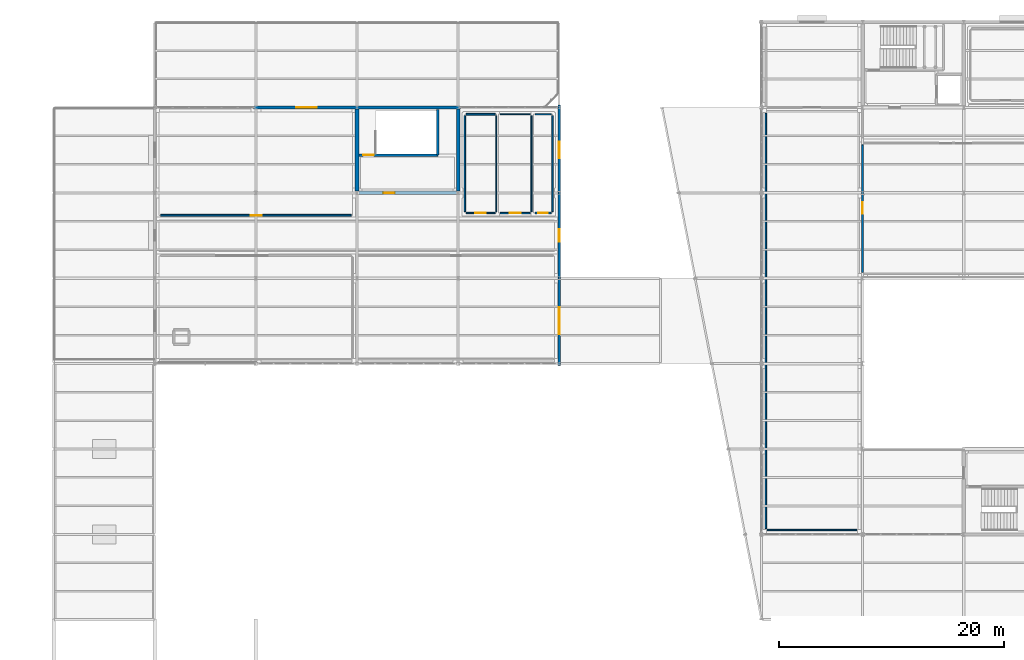
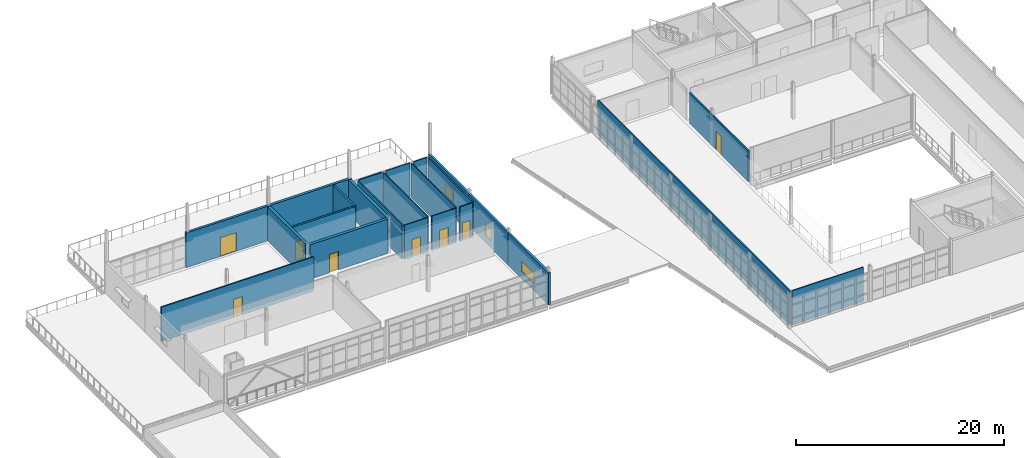
# One storey, part 89 of 96: 24 walls, 8 doors, 3 windows, 11 openings.
"""IFC4 building model written with IfcOpenShell, lengths in metres."""

from ifc_helpers import new_model, si_unit, direction, frame, frame_2d, origin, place, context, subcontext, project, spatial, rectangle, extrude, material, layer, layer_set, type_object, element, fill, save


model = new_model("IFC4")

# Units and contexts
model_context = context("Model", 3, precision=1e-05, world=origin(), true_north=direction((0.0, 1.0)))
body_context = subcontext(model_context, "Body", "Model", "MODEL_VIEW")
ifc_project = project(units=[si_unit("LENGTHUNIT", "METRE"), si_unit("AREAUNIT", "SQUARE_METRE"), si_unit("VOLUMEUNIT", "CUBIC_METRE"), si_unit("PLANEANGLEUNIT", "RADIAN"), si_unit("MASSUNIT", "GRAM", prefix="KILO")], contexts=[model_context])

# Site, building, storey
site_placement = place(None, origin())
site = spatial("IfcSite", under=ifc_project, at=site_placement, CompositionType="ELEMENT")
building_placement = place(site_placement, origin())
building = spatial("IfcBuilding", under=site, at=building_placement, Name="Caisbarro Railhouse Central Library", CompositionType="ELEMENT")
storey_placement = place(building_placement, frame((0.0, 0.0, 13.679931640625)))
storey = spatial("IfcBuildingStorey", under=building, at=storey_placement, Name="L03", CompositionType="ELEMENT", Elevation=13.679931640625)

# Wall, opening, door
ifc_material_1 = material(Name="Concrete C40", Category="concrete")
ifc_layer_1 = layer(ifc_material_1, 0.320068359375, Name="Concrete C40")
ifc_layer_set_1 = layer_set([ifc_layer_1], Name="Concrete C40")
wall_type_1 = type_object("IfcWallType", Name="WAL-CW32", PredefinedType="SHEAR", material=ifc_layer_set_1)
wall_1_placement = place(storey_placement, frame((81.159912109375, 98.800048828125, 0.0), z_axis=(0.0, 0.0, 1.0), x_axis=(1.0, 0.0, 0.0)))
wall_1 = element("IfcWall", 1, at=wall_1_placement, inside=storey, type_object=wall_type_1, Name="CW32 RC core shear wall L03 #79", PredefinedType="SHEAR", context=body_context, shape_type="SweptSolid", body=[
    extrude(rectangle(XDim=8.68017578125, YDim=0.320068359375, at=frame_2d((4.340087890625, 0.0))), origin(), (0.0, 0.0, 1.0), 4.0400390625),
])
opening_1_placement = place(wall_1_placement, frame((2.199951171875, 0.0, 0.0)))
opening_1 = element("IfcOpeningElement", 2, at=opening_1_placement, cuts=wall_1, Name="Opening FD05", PredefinedType="OPENING", context=body_context, shape_type="SweptSolid", body=[
    extrude(rectangle(XDim=1.0, YDim=2.14990234375, at=frame_2d((0.5, 1.074951171875))), frame((0.0, 0.169921875, 0.0), z_axis=(0.0, -1.0, 0.0), x_axis=(1.0, 0.0, 0.0)), (0.0, 0.0, 1.0), 0.340087890625),
])
ifc_material_2 = material(Name="Fire-rated painted galvanised steel", Category="steel")
door_type_1 = type_object("IfcDoorType", Name="DR-FD05", OperationType="NOTDEFINED", PredefinedType="DOOR", material=ifc_material_2)
door_1_placement = place(opening_1_placement, origin())
door_1 = element("IfcDoor", 3, at=door_1_placement, inside=storey, type_object=door_type_1, Name="Core K5 Lobby Door FD05 L03-118", OperationType="SINGLE_SWING_LEFT", OverallHeight=2.14990234375, OverallWidth=1.0, PredefinedType="DOOR", context=body_context, shape_type="SweptSolid", body=[
    extrude(rectangle(XDim=1.0, YDim=2.14990234375, at=frame_2d((0.5, 1.074951171875))), frame((0.0, 0.02490234375, 0.0), z_axis=(0.0, -1.0, 0.0), x_axis=(1.0, 0.0, 0.0)), (0.0, 0.0, 1.0), 0.050048828125),
])
fill(opening_1, door_1)

# Walls
for number, where, z_axis, x_axis, name in (
    (4, (81.0, 98.9599609375, 0.0), (0.0, 0.0, 1.0), (0.0, 1.0, 0.0), "CW32 RC core shear wall L03 #80"),
    (5, (90.0, 98.9599609375, 0.0), (0.0, 0.0, 1.0), (0.0, 1.0, 0.0), "CW32 RC core shear wall L03 #81"),
):
    element("IfcWall", number, at=place(storey_placement, frame(where, z_axis=z_axis, x_axis=x_axis)), inside=storey, type_object=wall_type_1, Name=name, PredefinedType="SHEAR", context=body_context, shape_type="SweptSolid", body=[
        extrude(rectangle(XDim=7.280029296875, YDim=0.320068359375, at=frame_2d((3.64013671875, 0.0))), origin(), (0.0, 0.0, 1.0), 4.0400390625),
    ])

# Wall, opening, window
ifc_material_3 = material(Name="Concrete C35 insulated architectural precast", Category="concrete")
ifc_layer_2 = layer(ifc_material_3, 0.239990234375, Name="Concrete C35 insulated architectural precast")
ifc_layer_set_2 = layer_set([ifc_layer_2], Name="Concrete C35 insulated architectural precast")
wall_type_2 = type_object("IfcWallType", Name="WAL-EW24", PredefinedType="STANDARD", material=ifc_layer_set_2)
wall_2_placement = place(storey_placement, frame((99.0, 83.389892578125, 0.0), z_axis=(0.0, 0.0, 1.0), x_axis=(0.0, 1.0, 0.0)))
wall_2 = element("IfcWall", 6, at=wall_2_placement, inside=storey, type_object=wall_type_2, Name="EW24 exterior wall L03 #257", PredefinedType="STANDARD", context=body_context, shape_type="SweptSolid", body=[
    extrude(rectangle(XDim=7.81005859375, YDim=0.239990234375, at=frame_2d((3.905029296875, 0.0))), origin(), (0.0, 0.0, 1.0), 3.779541015625),
])
opening_2_placement = place(wall_2_placement, frame((2.81005859375, 0.0, 0.85009765625)))
opening_2 = element("IfcOpeningElement", 7, at=opening_2_placement, cuts=wall_2, Name="Opening W09", PredefinedType="OPENING", context=body_context, shape_type="SweptSolid", body=[
    extrude(rectangle(XDim=2.39990234375, YDim=1.199951171875, at=frame_2d((1.199951171875, 0.60009765625))), frame((0.0, 0.1298828125, 0.0), z_axis=(0.0, -1.0, 0.0), x_axis=(1.0, 0.0, 0.0)), (0.0, 0.0, 1.0), 0.260009765625),
])
ifc_material_4 = material(Name="Double low-e laminated solar-control glass", Category="glass")
window_type_1 = type_object("IfcWindowType", Name="WIN-W09", PartitioningType="SINGLE_PANEL", PredefinedType="WINDOW", material=ifc_material_4)
window_1_placement = place(opening_2_placement, origin())
window_1 = element("IfcWindow", 8, at=window_1_placement, inside=storey, type_object=window_type_1, Name="W09 window L03-101", OverallHeight=1.199951171875, OverallWidth=2.39990234375, PartitioningType="SINGLE_PANEL", PredefinedType="WINDOW", context=body_context, shape_type="SweptSolid", body=[
    extrude(rectangle(XDim=2.39990234375, YDim=1.199951171875, at=frame_2d((1.199951171875, 0.60009765625))), frame((0.0, 0.030029296875, 0.0), z_axis=(0.0, -1.0, 0.0), x_axis=(1.0, 0.0, 0.0)), (0.0, 0.0, 1.0), 0.06005859375),
])
fill(opening_2, window_1)

wall_3_placement = place(storey_placement, frame((99.0, 91.199951171875, 0.0), z_axis=(0.0, 0.0, 1.0), x_axis=(0.0, 1.0, 0.0)))
wall_3 = element("IfcWall", 9, at=wall_3_placement, inside=storey, type_object=wall_type_2, Name="EW24 exterior wall L03 #259", PredefinedType="STANDARD", context=body_context, shape_type="SweptSolid", body=[
    extrude(rectangle(XDim=7.60009765625, YDim=0.239990234375, at=frame_2d((3.800048828125, 0.0))), origin(), (0.0, 0.0, 1.0), 3.779541015625),
])
opening_3_placement = place(wall_3_placement, frame((3.22509765625, 0.0, 0.85009765625)))
opening_3 = element("IfcOpeningElement", 10, at=opening_3_placement, cuts=wall_3, Name="Opening W11", PredefinedType="OPENING", context=body_context, shape_type="SweptSolid", body=[
    extrude(rectangle(XDim=1.14990234375, YDim=1.35009765625, at=frame_2d((0.574951171875, 0.675048828125))), frame((0.0, 0.1298828125, 0.0), z_axis=(0.0, -1.0, 0.0), x_axis=(1.0, 0.0, 0.0)), (0.0, 0.0, 1.0), 0.260009765625),
])
window_type_2 = type_object("IfcWindowType", Name="WIN-W11", PartitioningType="SINGLE_PANEL", PredefinedType="WINDOW", material=ifc_material_4)
window_2_placement = place(opening_3_placement, origin())
window_2 = element("IfcWindow", 11, at=window_2_placement, inside=storey, type_object=window_type_2, Name="W11 window L03-103", OverallHeight=1.35009765625, OverallWidth=1.14990234375, PartitioningType="SINGLE_PANEL", PredefinedType="WINDOW", context=body_context, shape_type="SweptSolid", body=[
    extrude(rectangle(XDim=1.14990234375, YDim=1.35009765625, at=frame_2d((0.574951171875, 0.675048828125))), frame((0.0, 0.030029296875, 0.0), z_axis=(0.0, -1.0, 0.0), x_axis=(1.0, 0.0, 0.0)), (0.0, 0.0, 1.0), 0.06005859375),
])
fill(opening_3, window_2)

wall_4_placement = place(storey_placement, frame((99.0, 98.800048828125, 0.0), z_axis=(0.0, 0.0, 1.0), x_axis=(0.0, 1.0, 0.0)))
wall_4 = element("IfcWall", 12, at=wall_4_placement, inside=storey, type_object=wall_type_2, Name="EW24 exterior wall L03 #261", PredefinedType="STANDARD", context=body_context, shape_type="SweptSolid", body=[
    extrude(rectangle(XDim=7.81005859375, YDim=0.239990234375, at=frame_2d((3.905029296875, 0.0))), origin(), (0.0, 0.0, 1.0), 3.779541015625),
])
opening_4_placement = place(wall_4_placement, frame((3.074951171875, 0.0, 0.85009765625)))
opening_4 = element("IfcOpeningElement", 13, at=opening_4_placement, cuts=wall_4, Name="Opening W13", PredefinedType="OPENING", context=body_context, shape_type="SweptSolid", body=[
    extrude(rectangle(XDim=1.449951171875, YDim=1.35009765625, at=frame_2d((0.72509765625, 0.675048828125))), frame((0.0, 0.1298828125, 0.0), z_axis=(0.0, -1.0, 0.0), x_axis=(1.0, 0.0, 0.0)), (0.0, 0.0, 1.0), 0.260009765625),
])
window_type_3 = type_object("IfcWindowType", Name="WIN-W13", PartitioningType="SINGLE_PANEL", PredefinedType="WINDOW", material=ifc_material_4)
window_3_placement = place(opening_4_placement, origin())
window_3 = element("IfcWindow", 14, at=window_3_placement, inside=storey, type_object=window_type_3, Name="W13 window L03-105", OverallHeight=1.35009765625, OverallWidth=1.449951171875, PartitioningType="SINGLE_PANEL", PredefinedType="WINDOW", context=body_context, shape_type="SweptSolid", body=[
    extrude(rectangle(XDim=1.449951171875, YDim=1.35009765625, at=frame_2d((0.72509765625, 0.675048828125))), frame((0.0, 0.030029296875, 0.0), z_axis=(0.0, -1.0, 0.0), x_axis=(1.0, 0.0, 0.0)), (0.0, 0.0, 1.0), 0.06005859375),
])
fill(opening_4, window_3)

# Wall, opening, door
ifc_layer_3 = layer(ifc_material_3, 0.260009765625, Name="Concrete C35 insulated architectural precast")
ifc_layer_set_3 = layer_set([ifc_layer_3], Name="Concrete C35 insulated architectural precast")
wall_type_3 = type_object("IfcWallType", Name="WAL-EW26", PredefinedType="STANDARD", material=ifc_layer_set_3)
wall_5_placement = place(storey_placement, frame((71.7900390625, 106.39990234375, 0.0), z_axis=(0.0, 0.0, 1.0), x_axis=(1.0, 0.0, 0.0)))
wall_5 = element("IfcWall", 15, at=wall_5_placement, inside=storey, type_object=wall_type_3, Name="EW26 exterior wall L03 #254", PredefinedType="STANDARD", context=body_context, shape_type="SweptSolid", body=[
    extrude(rectangle(XDim=9.2099609375, YDim=0.260009765625, at=frame_2d((4.60498046875, 0.0))), origin(), (0.0, 0.0, 1.0), 4.080078125),
])
opening_5_placement = place(wall_5_placement, frame((3.800048828125, 0.0, 0.0)))
opening_5 = element("IfcOpeningElement", 16, at=opening_5_placement, cuts=wall_5, Name="Opening TD01", PredefinedType="OPENING", context=body_context, shape_type="SweptSolid", body=[
    extrude(rectangle(XDim=1.820068359375, YDim=2.199951171875, at=frame_2d((0.91015625, 1.10009765625))), frame((0.0, 0.14013671875, 0.0), z_axis=(0.0, -1.0, 0.0), x_axis=(1.0, 0.0, 0.0)), (0.0, 0.0, 1.0), 0.280029296875),
])
ifc_material_5 = material(Name="Thermally broken anodised aluminium and safety glass", Category="aluminium")
door_type_2 = type_object("IfcDoorType", Name="DR-TD01", OperationType="NOTDEFINED", PredefinedType="DOOR", material=ifc_material_5)
door_2_placement = place(opening_5_placement, origin())
door_2 = element("IfcDoor", 17, at=door_2_placement, inside=storey, type_object=door_type_2, Name="Terrace Door TD01 L03-44", OperationType="SINGLE_SWING_LEFT", OverallHeight=2.199951171875, OverallWidth=1.820068359375, PredefinedType="DOOR", context=body_context, shape_type="SweptSolid", body=[
    extrude(rectangle(XDim=1.820068359375, YDim=2.199951171875, at=frame_2d((0.91015625, 1.10009765625))), frame((0.0, 0.02490234375, 0.0), z_axis=(0.0, -1.0, 0.0), x_axis=(1.0, 0.0, 0.0)), (0.0, 0.0, 1.0), 0.050048828125),
])
fill(opening_5, door_2)

# Walls
ifc_layer_4 = layer(ifc_material_1, 0.280029296875, Name="Concrete C40")
ifc_layer_set_4 = layer_set([ifc_layer_4], Name="Concrete C40")
wall_type_4 = type_object("IfcWallType", Name="WAL-EW28", PredefinedType="SOLIDWALL", material=ifc_layer_set_4)
wall_6_placement = place(storey_placement, frame((81.0, 106.39990234375, 0.0), z_axis=(0.0, 0.0, 1.0), x_axis=(1.0, 0.0, 0.0)))
element("IfcWall", 18, at=wall_6_placement, inside=storey, type_object=wall_type_4, Name="EW28 exterior wall L03 #255", PredefinedType="SOLIDWALL", context=body_context, shape_type="SweptSolid", body=[
    extrude(rectangle(XDim=9.2099609375, YDim=0.280029296875, at=frame_2d((4.60498046875, 0.0))), origin(), (0.0, 0.0, 1.0), 4.080078125),
])
ifc_material_6 = material(Name="Acoustic gypsum board on galvanised steel studs", Category="steel")
ifc_layer_5 = layer(ifc_material_6, 0.090087890625, Name="Acoustic gypsum board on galvanised steel studs")
ifc_layer_set_5 = layer_set([ifc_layer_5], Name="Acoustic gypsum board on galvanised steel studs")
wall_type_5 = type_object("IfcWallType", Name="WAL-IW09", PredefinedType="PARTITIONING", material=ifc_layer_set_5)
wall_7_placement = place(storey_placement, frame((93.416015625, 97.1201171875, 0.0), z_axis=(0.0, 0.0, 1.0), x_axis=(0.0, 1.0, 0.0)))
element("IfcWall", 19, at=wall_7_placement, inside=storey, type_object=wall_type_5, Name="IW09 partition wall L03 #564", PredefinedType="PARTITIONING", context=body_context, shape_type="SweptSolid", body=[
    extrude(rectangle(XDim=8.559814453125, YDim=0.090087890625, at=frame_2d((4.27978515625, 0.0))), origin(), (0.0, 0.0, 1.0), 4.0400390625),
])
wall_8_placement = place(storey_placement, frame((93.736083984375, 105.800048828125, 0.0), z_axis=(0.0, 0.0, 1.0), x_axis=(1.0, 0.0, 0.0)))
element("IfcWall", 20, at=wall_8_placement, inside=storey, type_object=wall_type_5, Name="IW09 partition wall L03 #568", PredefinedType="PARTITIONING", context=body_context, shape_type="SweptSolid", body=[
    extrude(rectangle(XDim=2.676025390625, YDim=0.090087890625, at=frame_2d((1.337890625, 0.0))), origin(), (0.0, 0.0, 1.0), 4.0400390625),
])

# Wall, opening, door
ifc_layer_6 = layer(ifc_material_6, 0.110107421875, Name="Acoustic gypsum board on galvanised steel studs")
ifc_layer_set_6 = layer_set([ifc_layer_6], Name="Acoustic gypsum board on galvanised steel studs")
wall_type_6 = type_object("IfcWallType", Name="WAL-IW11", PredefinedType="PARTITIONING", material=ifc_layer_set_6)
wall_9_placement = place(storey_placement, frame((90.719970703125, 97.0, 0.0), z_axis=(0.0, 0.0, 1.0), x_axis=(1.0, 0.0, 0.0)))
wall_9 = element("IfcWall", 21, at=wall_9_placement, inside=storey, type_object=wall_type_6, Name="IW11 partition wall L03 #563", PredefinedType="PARTITIONING", context=body_context, shape_type="SweptSolid", body=[
    extrude(rectangle(XDim=2.575927734375, YDim=0.110107421875, at=frame_2d((1.2880859375, 0.0))), origin(), (0.0, 0.0, 1.0), 4.0400390625),
])
opening_6_placement = place(wall_9_placement, frame((0.818115234375, 0.0, 0.0)))
opening_6 = element("IfcOpeningElement", 22, at=opening_6_placement, cuts=wall_9, Name="Opening ID03", PredefinedType="OPENING", context=body_context, shape_type="SweptSolid", body=[
    extrude(rectangle(XDim=0.93994140625, YDim=2.06005859375, at=frame_2d((0.469970703125, 1.030029296875))), frame((0.0, 0.06494140625, 0.0), z_axis=(0.0, -1.0, 0.0), x_axis=(1.0, 0.0, 0.0)), (0.0, 0.0, 1.0), 0.130126953125),
])
ifc_material_7 = material(Name="Solid-core tropical hardwood veneer", Category="wood")
door_type_3 = type_object("IfcDoorType", Name="DR-ID03", OperationType="NOTDEFINED", PredefinedType="DOOR", material=ifc_material_7)
door_3_placement = place(opening_6_placement, origin())
door_3 = element("IfcDoor", 23, at=door_3_placement, inside=storey, type_object=door_type_3, Name="Male WC L03-V6 Door ID03 L03-317", OperationType="SINGLE_SWING_LEFT", OverallHeight=2.06005859375, OverallWidth=0.93994140625, PredefinedType="DOOR", context=body_context, shape_type="SweptSolid", body=[
    extrude(rectangle(XDim=0.93994140625, YDim=2.06005859375, at=frame_2d((0.469970703125, 1.030029296875))), frame((0.0, 0.02490234375, 0.0), z_axis=(0.0, -1.0, 0.0), x_axis=(1.0, 0.0, 0.0)), (0.0, 0.0, 1.0), 0.050048828125),
])
fill(opening_6, door_3)

# Walls
wall_10_placement = place(storey_placement, frame((96.531982421875, 97.1201171875, 0.0), z_axis=(0.0, 0.0, 1.0), x_axis=(0.0, 1.0, 0.0)))
element("IfcWall", 24, at=wall_10_placement, inside=storey, type_object=wall_type_6, Name="IW11 partition wall L03 #567", PredefinedType="PARTITIONING", context=body_context, shape_type="SweptSolid", body=[
    extrude(rectangle(XDim=8.559814453125, YDim=0.110107421875, at=frame_2d((4.27978515625, 0.0))), origin(), (0.0, 0.0, 1.0), 4.0400390625),
])
wall_11_placement = place(storey_placement, frame((96.85205078125, 105.800048828125, 0.0), z_axis=(0.0, 0.0, 1.0), x_axis=(1.0, 0.0, 0.0)))
element("IfcWall", 25, at=wall_11_placement, inside=storey, type_object=wall_type_6, Name="IW11 partition wall L03 #571", PredefinedType="PARTITIONING", context=body_context, shape_type="SweptSolid", body=[
    extrude(rectangle(XDim=1.427978515625, YDim=0.110107421875, at=frame_2d((0.7138671875, 0.0))), origin(), (0.0, 0.0, 1.0), 4.0400390625),
])
wall_12_placement = place(storey_placement, frame((117.52001953125, 68.800048828125, 0.0), z_axis=(0.0, 0.0, 1.0), x_axis=(1.0, 0.0, 0.0)))
element("IfcWall", 26, at=wall_12_placement, inside=storey, type_object=wall_type_6, Name="IW11 partition wall L03 #599", PredefinedType="PARTITIONING", context=body_context, shape_type="SweptSolid", body=[
    extrude(rectangle(XDim=7.9599609375, YDim=0.110107421875, at=frame_2d((3.97998046875, 0.0))), origin(), (0.0, 0.0, 1.0), 4.0400390625),
])
ifc_layer_7 = layer(ifc_material_6, 0.1298828125, Name="Acoustic gypsum board on galvanised steel studs")
ifc_layer_set_7 = layer_set([ifc_layer_7], Name="Acoustic gypsum board on galvanised steel studs")
wall_type_7 = type_object("IfcWallType", Name="WAL-IW13", PredefinedType="PARTITIONING", material=ifc_layer_set_7)
wall_13_placement = place(storey_placement, frame((90.60009765625, 97.1201171875, 0.0), z_axis=(0.0, 0.0, 1.0), x_axis=(0.0, 1.0, 0.0)))
element("IfcWall", 27, at=wall_13_placement, inside=storey, type_object=wall_type_7, Name="IW13 partition wall L03 #562", PredefinedType="PARTITIONING", context=body_context, shape_type="SweptSolid", body=[
    extrude(rectangle(XDim=8.559814453125, YDim=0.1298828125, at=frame_2d((4.27978515625, 0.0))), origin(), (0.0, 0.0, 1.0), 4.0400390625),
])

# Wall, opening, door
wall_14_placement = place(storey_placement, frame((93.736083984375, 97.0, 0.0), z_axis=(0.0, 0.0, 1.0), x_axis=(1.0, 0.0, 0.0)))
wall_14 = element("IfcWall", 28, at=wall_14_placement, inside=storey, type_object=wall_type_7, Name="IW13 partition wall L03 #566", PredefinedType="PARTITIONING", context=body_context, shape_type="SweptSolid", body=[
    extrude(rectangle(XDim=2.676025390625, YDim=0.1298828125, at=frame_2d((1.337890625, 0.0))), origin(), (0.0, 0.0, 1.0), 4.0400390625),
])
opening_7_placement = place(wall_14_placement, frame((0.847900390625, 0.0, 0.0)))
opening_7 = element("IfcOpeningElement", 29, at=opening_7_placement, cuts=wall_14, Name="Opening ID04", PredefinedType="OPENING", context=body_context, shape_type="SweptSolid", body=[
    extrude(rectangle(XDim=0.97998046875, YDim=2.06005859375, at=frame_2d((0.489990234375, 1.030029296875))), frame((0.0, 0.074951171875, 0.0), z_axis=(0.0, -1.0, 0.0), x_axis=(1.0, 0.0, 0.0)), (0.0, 0.0, 1.0), 0.14990234375),
])
door_type_4 = type_object("IfcDoorType", Name="DR-ID04", OperationType="NOTDEFINED", PredefinedType="DOOR", material=ifc_material_7)
door_4_placement = place(opening_7_placement, origin())
door_4 = element("IfcDoor", 30, at=door_4_placement, inside=storey, type_object=door_type_4, Name="Female WC L03-V6 Door ID04 L03-318", OperationType="SINGLE_SWING_RIGHT", OverallHeight=2.06005859375, OverallWidth=0.97998046875, PredefinedType="DOOR", context=body_context, shape_type="SweptSolid", body=[
    extrude(rectangle(XDim=0.97998046875, YDim=2.06005859375, at=frame_2d((0.489990234375, 1.030029296875))), frame((0.0, 0.02490234375, 0.0), z_axis=(0.0, -1.0, 0.0), x_axis=(1.0, 0.0, 0.0)), (0.0, 0.0, 1.0), 0.050048828125),
])
fill(opening_7, door_4)

# Walls
wall_15_placement = place(storey_placement, frame((98.39990234375, 97.1201171875, 0.0), z_axis=(0.0, 0.0, 1.0), x_axis=(0.0, 1.0, 0.0)))
element("IfcWall", 31, at=wall_15_placement, inside=storey, type_object=wall_type_7, Name="IW13 partition wall L03 #570", PredefinedType="PARTITIONING", context=body_context, shape_type="SweptSolid", body=[
    extrude(rectangle(XDim=8.559814453125, YDim=0.1298828125, at=frame_2d((4.27978515625, 0.0))), origin(), (0.0, 0.0, 1.0), 4.0400390625),
])
wall_16_placement = place(storey_placement, frame((117.39990234375, 68.919921875, 0.0), z_axis=(0.0, 0.0, 1.0), x_axis=(0.0, 1.0, 0.0)))
element("IfcWall", 32, at=wall_16_placement, inside=storey, type_object=wall_type_7, Name="IW13 partition wall L03 #598", PredefinedType="PARTITIONING", context=body_context, shape_type="SweptSolid", body=[
    extrude(rectangle(XDim=36.9599609375, YDim=0.1298828125, at=frame_2d((18.47998046875, 0.0))), origin(), (0.0, 0.0, 1.0), 4.0400390625),
])

# Wall, opening, door
ifc_layer_8 = layer(ifc_material_6, 0.14990234375, Name="Acoustic gypsum board on galvanised steel studs")
ifc_layer_set_8 = layer_set([ifc_layer_8], Name="Acoustic gypsum board on galvanised steel studs")
wall_type_8 = type_object("IfcWallType", Name="WAL-IW15", PredefinedType="PARTITIONING", material=ifc_layer_set_8)
wall_17_placement = place(storey_placement, frame((63.52001953125, 96.800048828125, 0.0), z_axis=(0.0, 0.0, 1.0), x_axis=(1.0, 0.0, 0.0)))
wall_17 = element("IfcWall", 33, at=wall_17_placement, inside=storey, type_object=wall_type_8, Name="IW15 partition wall L03 #561", PredefinedType="PARTITIONING", context=body_context, shape_type="SweptSolid", body=[
    extrude(rectangle(XDim=16.9599609375, YDim=0.14990234375, at=frame_2d((8.47998046875, 0.0))), origin(), (0.0, 0.0, 1.0), 4.0400390625),
])
opening_8_placement = place(wall_17_placement, frame((8.02490234375, 0.0, 0.0)))
opening_8 = element("IfcOpeningElement", 34, at=opening_8_placement, cuts=wall_17, Name="Opening FD05", PredefinedType="OPENING", context=body_context, shape_type="SweptSolid", body=[
    extrude(rectangle(XDim=1.0, YDim=2.14990234375, at=frame_2d((0.5, 1.074951171875))), frame((0.0, 0.0849609375, 0.0), z_axis=(0.0, -1.0, 0.0), x_axis=(1.0, 0.0, 0.0)), (0.0, 0.0, 1.0), 0.169921875),
])
door_5_placement = place(opening_8_placement, origin())
door_5 = element("IfcDoor", 35, at=door_5_placement, inside=storey, type_object=door_type_1, Name="Writers-in-Residence Studio Door FD05 L03-316", OperationType="SINGLE_SWING_RIGHT", OverallHeight=2.14990234375, OverallWidth=1.0, PredefinedType="DOOR", context=body_context, shape_type="SweptSolid", body=[
    extrude(rectangle(XDim=1.0, YDim=2.14990234375, at=frame_2d((0.5, 1.074951171875))), frame((0.0, 0.02490234375, 0.0), z_axis=(0.0, -1.0, 0.0), x_axis=(1.0, 0.0, 0.0)), (0.0, 0.0, 1.0), 0.050048828125),
])
fill(opening_8, door_5)

# Wall
wall_18_placement = place(storey_placement, frame((90.719970703125, 105.800048828125, 0.0), z_axis=(0.0, 0.0, 1.0), x_axis=(1.0, 0.0, 0.0)))
element("IfcWall", 36, at=wall_18_placement, inside=storey, type_object=wall_type_8, Name="IW15 partition wall L03 #565", PredefinedType="PARTITIONING", context=body_context, shape_type="SweptSolid", body=[
    extrude(rectangle(XDim=2.575927734375, YDim=0.14990234375, at=frame_2d((1.2880859375, 0.0))), origin(), (0.0, 0.0, 1.0), 4.0400390625),
])

# Wall, opening, door
wall_19_placement = place(storey_placement, frame((96.85205078125, 97.0, 0.0), z_axis=(0.0, 0.0, 1.0), x_axis=(1.0, 0.0, 0.0)))
wall_19 = element("IfcWall", 37, at=wall_19_placement, inside=storey, type_object=wall_type_8, Name="IW15 partition wall L03 #569", PredefinedType="PARTITIONING", context=body_context, shape_type="SweptSolid", body=[
    extrude(rectangle(XDim=1.427978515625, YDim=0.14990234375, at=frame_2d((0.7138671875, 0.0))), origin(), (0.0, 0.0, 1.0), 4.0400390625),
])
opening_9_placement = place(wall_19_placement, frame((0.283935546875, 0.0, 0.0)))
opening_9 = element("IfcOpeningElement", 38, at=opening_9_placement, cuts=wall_19, Name="Opening ID01", PredefinedType="OPENING", context=body_context, shape_type="SweptSolid", body=[
    extrude(rectangle(XDim=0.860107421875, YDim=2.06005859375, at=frame_2d((0.43017578125, 1.030029296875))), frame((0.0, 0.0849609375, 0.0), z_axis=(0.0, -1.0, 0.0), x_axis=(1.0, 0.0, 0.0)), (0.0, 0.0, 1.0), 0.169921875),
])
door_type_5 = type_object("IfcDoorType", Name="DR-ID01", OperationType="NOTDEFINED", PredefinedType="DOOR", material=ifc_material_7)
door_6_placement = place(opening_9_placement, origin())
door_6 = element("IfcDoor", 39, at=door_6_placement, inside=storey, type_object=door_type_5, Name="Accessible WC L03-V6 Door ID01 L03-319", OperationType="SINGLE_SWING_LEFT", OverallHeight=2.06005859375, OverallWidth=0.860107421875, PredefinedType="DOOR", context=body_context, shape_type="SweptSolid", body=[
    extrude(rectangle(XDim=0.860107421875, YDim=2.06005859375, at=frame_2d((0.43017578125, 1.030029296875))), frame((0.0, 0.02490234375, 0.0), z_axis=(0.0, -1.0, 0.0), x_axis=(1.0, 0.0, 0.0)), (0.0, 0.0, 1.0), 0.050048828125),
])
fill(opening_9, door_6)

wall_20_placement = place(storey_placement, frame((126.0, 91.719970703125, 0.0), z_axis=(0.0, 0.0, 1.0), x_axis=(0.0, 1.0, 0.0)))
wall_20 = element("IfcWall", 40, at=wall_20_placement, inside=storey, type_object=wall_type_8, Name="IW15 partition wall L03 #573", PredefinedType="PARTITIONING", context=body_context, shape_type="SweptSolid", body=[
    extrude(rectangle(XDim=11.360107421875, YDim=0.14990234375, at=frame_2d((5.68017578125, 0.0))), origin(), (0.0, 0.0, 1.0), 3.631103515625),
])
opening_10_placement = place(wall_20_placement, frame((5.22998046875, 0.0, 0.0)))
opening_10 = element("IfcOpeningElement", 41, at=opening_10_placement, cuts=wall_20, Name="Opening FD05", PredefinedType="OPENING", context=body_context, shape_type="SweptSolid", body=[
    extrude(rectangle(XDim=1.0, YDim=2.14990234375, at=frame_2d((0.5, 1.074951171875))), frame((0.0, 0.0849609375, 0.0), z_axis=(0.0, -1.0, 0.0), x_axis=(1.0, 0.0, 0.0)), (0.0, 0.0, 1.0), 0.169921875),
])
door_7_placement = place(opening_10_placement, origin())
door_7 = element("IfcDoor", 42, at=door_7_placement, inside=storey, type_object=door_type_1, Name="Atrium West Reading Lounge L03 Door FD05 L03-330", OperationType="SINGLE_SWING_RIGHT", OverallHeight=2.14990234375, OverallWidth=1.0, PredefinedType="DOOR", context=body_context, shape_type="SweptSolid", body=[
    extrude(rectangle(XDim=1.0, YDim=2.14990234375, at=frame_2d((0.5, 1.074951171875))), frame((0.0, 0.02490234375, 0.0), z_axis=(0.0, -1.0, 0.0), x_axis=(1.0, 0.0, 0.0)), (0.0, 0.0, 1.0), 0.050048828125),
])
fill(opening_10, door_7)

ifc_layer_9 = layer(ifc_material_1, 0.2099609375, Name="Concrete C40")
ifc_layer_set_9 = layer_set([ifc_layer_9], Name="Concrete C40")
wall_type_9 = type_object("IfcWallType", Name="WAL-SW21", PredefinedType="SOLIDWALL", material=ifc_layer_set_9)
wall_21_placement = place(storey_placement, frame((81.199951171875, 102.14990234375, 0.0), z_axis=(0.0, 0.0, 1.0), x_axis=(1.0, 0.0, 0.0)))
wall_21 = element("IfcWall", 43, at=wall_21_placement, inside=storey, type_object=wall_type_9, Name="SW21 core shaft wall L03 #141", PredefinedType="SOLIDWALL", context=body_context, shape_type="SweptSolid", body=[
    extrude(rectangle(XDim=7.0, YDim=0.2099609375, at=frame_2d((3.5, 0.0))), origin(), (0.0, 0.0, 1.0), 4.0400390625),
])
opening_11_placement = place(wall_21_placement, frame((0.35009765625, 0.0, 0.0)))
opening_11 = element("IfcOpeningElement", 44, at=opening_11_placement, cuts=wall_21, Name="Opening FD01", PredefinedType="OPENING", context=body_context, shape_type="SweptSolid", body=[
    extrude(rectangle(XDim=0.949951171875, YDim=2.1201171875, at=frame_2d((0.47509765625, 1.06005859375))), frame((0.0, 0.114990234375, 0.0), z_axis=(0.0, -1.0, 0.0), x_axis=(1.0, 0.0, 0.0)), (0.0, 0.0, 1.0), 0.22998046875),
])
door_type_6 = type_object("IfcDoorType", Name="DR-FD01", OperationType="NOTDEFINED", PredefinedType="DOOR", material=ifc_material_2)
door_8_placement = place(opening_11_placement, origin())
door_8 = element("IfcDoor", 45, at=door_8_placement, inside=storey, type_object=door_type_6, Name="Stair ST-05 Fire Door FD01 L03-117", OperationType="SINGLE_SWING_RIGHT", OverallHeight=2.1201171875, OverallWidth=0.949951171875, PredefinedType="DOOR", context=body_context, shape_type="SweptSolid", body=[
    extrude(rectangle(XDim=0.949951171875, YDim=2.1201171875, at=frame_2d((0.47509765625, 1.06005859375))), frame((0.0, 0.02490234375, 0.0), z_axis=(0.0, -1.0, 0.0), x_axis=(1.0, 0.0, 0.0)), (0.0, 0.0, 1.0), 0.050048828125),
])
fill(opening_11, door_8)

# Wall
wall_22_placement = place(storey_placement, frame((88.199951171875, 102.14990234375, 0.0), z_axis=(0.0, 0.0, 1.0), x_axis=(0.0, 1.0, 0.0)))
element("IfcWall", 46, at=wall_22_placement, inside=storey, type_object=wall_type_9, Name="SW21 core shaft wall L03 #142", PredefinedType="SOLIDWALL", context=body_context, shape_type="SweptSolid", body=[
    extrude(rectangle(XDim=4.050048828125, YDim=0.2099609375, at=frame_2d((2.02490234375, 0.0))), origin(), (0.0, 0.0, 1.0), 4.0400390625),
])

save(model, "model.ifc")
